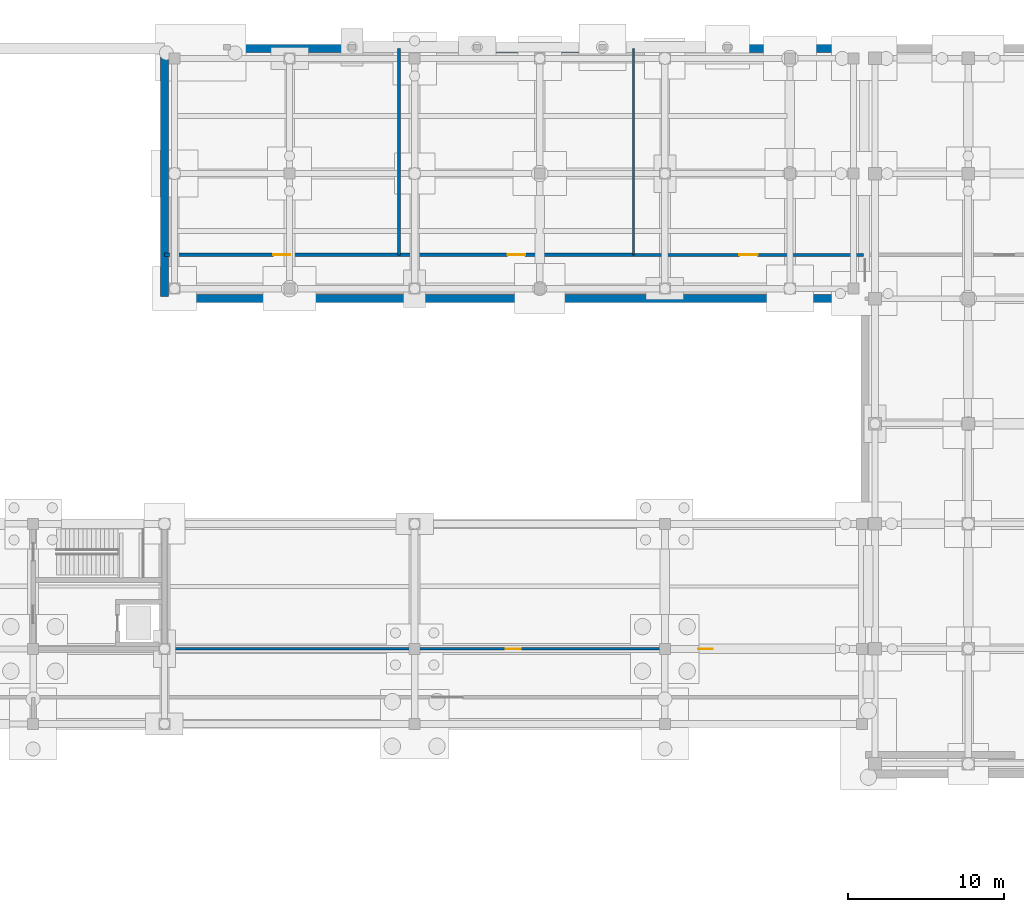
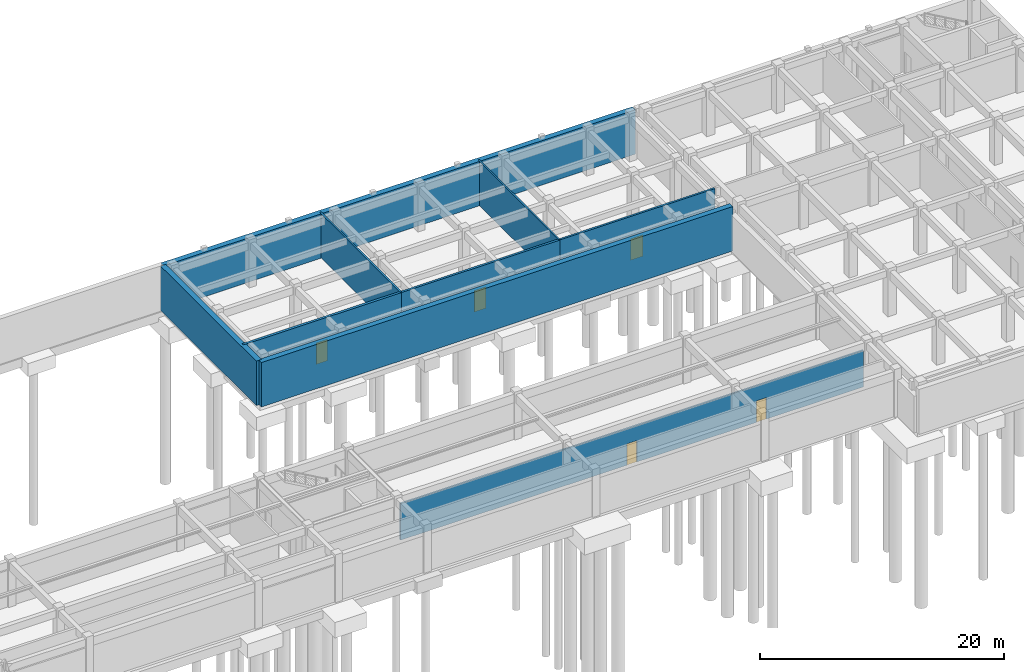
# One storey, part 25 of 35: 9 walls, 5 doors, 5 openings.
"""IFC4 building model written with IfcOpenShell, lengths in metres."""

from ifc_helpers import new_model, si_unit, direction, frame, frame_2d, origin, place, context, subcontext, project, spatial, rectangle, extrude, material, layer, layer_set, type_object, element, fill, save


model = new_model("IFC4")

# Units and contexts
model_context = context("Model", 3, precision=1e-05, world=origin(), true_north=direction((0.0, 1.0)))
body_context = subcontext(model_context, "Body", "Model", "MODEL_VIEW")
ifc_project = project(units=[si_unit("LENGTHUNIT", "METRE"), si_unit("AREAUNIT", "SQUARE_METRE"), si_unit("VOLUMEUNIT", "CUBIC_METRE"), si_unit("PLANEANGLEUNIT", "RADIAN"), si_unit("MASSUNIT", "GRAM", prefix="KILO")], contexts=[model_context])

# Site, building, storey
site_placement = place(None, origin())
site = spatial("IfcSite", under=ifc_project, at=site_placement, CompositionType="ELEMENT")
building_placement = place(site_placement, origin())
building = spatial("IfcBuilding", under=site, at=building_placement, Name="Cinchona Park Media Centre", CompositionType="ELEMENT")
storey_placement = place(building_placement, frame((0.0, 0.0, -4.800048828125)))
storey = spatial("IfcBuildingStorey", under=building, at=storey_placement, Name="B1", CompositionType="ELEMENT", Elevation=-4.800048828125)

# Wall, opening, door
ifc_material_1 = material(Name="Acoustic Double-Stud Gypsum Partition", Category="gypsum")
ifc_layer_1 = layer(ifc_material_1, 0.2099609375)
ifc_layer_set_1 = layer_set([ifc_layer_1], Name="Acoustic Double-Stud Gypsum Partition")
wall_type_1 = type_object("IfcWallType", Name="WALL-W-AC210", PredefinedType="PARTITIONING", material=ifc_layer_set_1)
wall_1_placement = place(storey_placement, frame((109.800048828125, 104.800048828125, 0.0), z_axis=(0.0, 0.0, 1.0), x_axis=(1.0, 0.0, 0.0)))
wall_1 = element("IfcWall", 1, at=wall_1_placement, inside=storey, type_object=wall_type_1, Name="Interior Wall W-AC210 B1", PredefinedType="PARTITIONING", context=body_context, shape_type="SweptSolid", body=[
    extrude(rectangle(XDim=15.0, YDim=0.2099609375, at=frame_2d((7.5, 0.0))), origin(), (0.0, 0.0, 1.0), 4.449951171875),
])
opening_1_placement = place(wall_1_placement, frame((6.93994140625, 0.0, 0.0)))
opening_1 = element("IfcOpeningElement", 2, at=opening_1_placement, cuts=wall_1, Name="Opening D172", PredefinedType="OPENING", context=body_context, shape_type="SweptSolid", body=[
    extrude(rectangle(XDim=1.1201171875, YDim=2.14990234375, at=frame_2d((0.56005859375, 1.074951171875))), frame((0.0, 0.114990234375, 0.0), z_axis=(0.0, -1.0, 0.0), x_axis=(1.0, 0.0, 0.0)), (0.0, 0.0, 1.0), 0.22998046875),
])
ifc_material_2 = material(Name="Fire-Rated Acoustic Timber-Steel Door", Category="steel")
door_type_1 = type_object("IfcDoorType", Name="DOOR-DT08", OperationType="NOTDEFINED", PredefinedType="DOOR", material=ifc_material_2)
door_1_placement = place(opening_1_placement, origin())
door_1 = element("IfcDoor", 3, at=door_1_placement, inside=storey, type_object=door_type_1, Name="Interior Door D172", OperationType="SINGLE_SWING_RIGHT", OverallHeight=2.14990234375, OverallWidth=1.1201171875, PredefinedType="DOOR", context=body_context, shape_type="SweptSolid", body=[
    extrude(rectangle(XDim=1.1201171875, YDim=2.14990234375, at=frame_2d((0.56005859375, 1.074951171875))), frame((0.0, 0.02490234375, 0.0), z_axis=(0.0, -1.0, 0.0), x_axis=(1.0, 0.0, 0.0)), (0.0, 0.0, 1.0), 0.050048828125),
])
fill(opening_1, door_1)

ifc_material_3 = material(Name="Acoustic Double-Stud Gypsum Partition", Category="gypsum")
ifc_layer_2 = layer(ifc_material_3, 0.239990234375)
ifc_layer_set_2 = layer_set([ifc_layer_2], Name="Acoustic Double-Stud Gypsum Partition")
wall_type_2 = type_object("IfcWallType", Name="WALL-W-AC240", PredefinedType="PARTITIONING", material=ifc_layer_set_2)
wall_2_placement = place(storey_placement, frame((94.800048828125, 104.800048828125, 0.0), z_axis=(0.0, 0.0, 1.0), x_axis=(1.0, 0.0, 0.0)))
wall_2 = element("IfcWall", 4, at=wall_2_placement, inside=storey, type_object=wall_type_2, Name="Interior Wall W-AC240 B1", PredefinedType="PARTITIONING", context=body_context, shape_type="SweptSolid", body=[
    extrude(rectangle(XDim=15.0, YDim=0.239990234375, at=frame_2d((7.5, 0.0))), origin(), (0.0, 0.0, 1.0), 4.449951171875),
])
opening_2_placement = place(wall_2_placement, frame((6.9599609375, 0.0, 0.0)))
opening_2 = element("IfcOpeningElement", 5, at=opening_2_placement, cuts=wall_2, Name="Opening D171", PredefinedType="OPENING", context=body_context, shape_type="SweptSolid", body=[
    extrude(rectangle(XDim=1.080078125, YDim=2.14990234375, at=frame_2d((0.5400390625, 1.074951171875))), frame((0.0, 0.1298828125, 0.0), z_axis=(0.0, -1.0, 0.0), x_axis=(1.0, 0.0, 0.0)), (0.0, 0.0, 1.0), 0.260009765625),
])
ifc_material_4 = material(Name="Fire-Rated Acoustic Timber-Steel Door", Category="steel")
door_type_2 = type_object("IfcDoorType", Name="DOOR-DT07", OperationType="NOTDEFINED", PredefinedType="DOOR", material=ifc_material_4)
door_2_placement = place(opening_2_placement, origin())
door_2 = element("IfcDoor", 6, at=door_2_placement, inside=storey, type_object=door_type_2, Name="Interior Door D171", OperationType="SINGLE_SWING_LEFT", OverallHeight=2.14990234375, OverallWidth=1.080078125, PredefinedType="DOOR", context=body_context, shape_type="SweptSolid", body=[
    extrude(rectangle(XDim=1.080078125, YDim=2.14990234375, at=frame_2d((0.5400390625, 1.074951171875))), frame((0.0, 0.02490234375, 0.0), z_axis=(0.0, -1.0, 0.0), x_axis=(1.0, 0.0, 0.0)), (0.0, 0.0, 1.0), 0.050048828125),
])
fill(opening_2, door_2)

# Wall, openings, doors
ifc_material_5 = material(Name="Fire-Rated Gypsum Stud Partition", Category="gypsum")
ifc_layer_3 = layer(ifc_material_5, 0.14990234375)
ifc_layer_set_3 = layer_set([ifc_layer_3], Name="Fire-Rated Gypsum Stud Partition")
wall_type_3 = type_object("IfcWallType", Name="WALL-W-PT150", PredefinedType="PARTITIONING", material=ifc_layer_set_3)
wall_3_placement = place(storey_placement, frame((95.152099609375, 79.60009765625, 0.0), z_axis=(0.0, 0.0, 1.0), x_axis=(1.0, 0.0, 0.0)))
wall_3 = element("IfcWall", 7, at=wall_3_placement, inside=storey, type_object=wall_type_3, Name="Interior Wall W-PT150 B1", PredefinedType="PARTITIONING", context=body_context, shape_type="SweptSolid", body=[
    extrude(rectangle(XDim=43.89599609375, YDim=0.14990234375, at=frame_2d((21.947998046875, 0.0))), origin(), (0.0, 0.0, 1.0), 3.670166015625),
])
opening_3_placement = place(wall_3_placement, frame((21.47802734375, 0.0, 0.0)))
opening_3 = element("IfcOpeningElement", 8, at=opening_3_placement, cuts=wall_3, Name="Opening D163", PredefinedType="OPENING", context=body_context, shape_type="SweptSolid", body=[
    extrude(rectangle(XDim=0.93994140625, YDim=2.14990234375, at=frame_2d((0.469970703125, 1.074951171875))), frame((0.0, 0.0849609375, 0.0), z_axis=(0.0, -1.0, 0.0), x_axis=(1.0, 0.0, 0.0)), (0.0, 0.0, 1.0), 0.169921875),
])
opening_4_placement = place(wall_3_placement, frame((33.76904296875, 0.0, 0.0)))
opening_4 = element("IfcOpeningElement", 9, at=opening_4_placement, cuts=wall_3, Name="Opening D164", PredefinedType="OPENING", context=body_context, shape_type="SweptSolid", body=[
    extrude(rectangle(XDim=0.93994140625, YDim=2.14990234375, at=frame_2d((0.469970703125, 1.074951171875))), frame((0.0, 0.0849609375, 0.0), z_axis=(0.0, -1.0, 0.0), x_axis=(1.0, 0.0, 0.0)), (0.0, 0.0, 1.0), 0.169921875),
])
ifc_material_6 = material(Name="Fire-Rated Acoustic Timber-Steel Door", Category="steel")
door_type_3 = type_object("IfcDoorType", Name="DOOR-DT24", OperationType="NOTDEFINED", PredefinedType="DOOR", material=ifc_material_6)
door_3_placement = place(opening_3_placement, origin())
door_3 = element("IfcDoor", 10, at=door_3_placement, inside=storey, type_object=door_type_3, Name="Interior Door D163", OperationType="SINGLE_SWING_LEFT", OverallHeight=2.14990234375, OverallWidth=0.93994140625, PredefinedType="DOOR", context=body_context, shape_type="SweptSolid", body=[
    extrude(rectangle(XDim=0.93994140625, YDim=2.14990234375, at=frame_2d((0.469970703125, 1.074951171875))), frame((0.0, 0.02490234375, 0.0), z_axis=(0.0, -1.0, 0.0), x_axis=(1.0, 0.0, 0.0)), (0.0, 0.0, 1.0), 0.050048828125),
])
fill(opening_3, door_3)
door_4_placement = place(opening_4_placement, origin())
door_4 = element("IfcDoor", 11, at=door_4_placement, inside=storey, type_object=door_type_3, Name="Interior Door D164", OperationType="SINGLE_SWING_RIGHT", OverallHeight=2.14990234375, OverallWidth=0.93994140625, PredefinedType="DOOR", context=body_context, shape_type="SweptSolid", body=[
    extrude(rectangle(XDim=0.93994140625, YDim=2.14990234375, at=frame_2d((0.469970703125, 1.074951171875))), frame((0.0, 0.02490234375, 0.0), z_axis=(0.0, -1.0, 0.0), x_axis=(1.0, 0.0, 0.0)), (0.0, 0.0, 1.0), 0.050048828125),
])
fill(opening_4, door_4)

# Walls
wall_4_placement = place(storey_placement, frame((124.800048828125, 118.0, 0.0), z_axis=(0.0, 0.0, 1.0), x_axis=(0.0, -1.0, 0.0)))
element("IfcWall", 12, at=wall_4_placement, inside=storey, type_object=wall_type_3, Name="Interior Wall W-PT150 B1", PredefinedType="PARTITIONING", context=body_context, shape_type="SweptSolid", body=[
    extrude(rectangle(XDim=13.199951171875, YDim=0.14990234375, at=frame_2d((6.60009765625, 0.0))), origin(), (0.0, 0.0, 1.0), 4.449951171875),
])
ifc_material_7 = material(Name="Fire-Rated Gypsum Stud Partition", Category="gypsum")
ifc_layer_4 = layer(ifc_material_7, 0.1650390625)
ifc_layer_set_4 = layer_set([ifc_layer_4], Name="Fire-Rated Gypsum Stud Partition")
wall_type_4 = type_object("IfcWallType", Name="WALL-W-PT165", PredefinedType="PARTITIONING", material=ifc_layer_set_4)
wall_5_placement = place(storey_placement, frame((109.800048828125, 118.0, 0.0), z_axis=(0.0, 0.0, 1.0), x_axis=(0.0, -1.0, 0.0)))
element("IfcWall", 13, at=wall_5_placement, inside=storey, type_object=wall_type_4, Name="Interior Wall W-PT165 B1", PredefinedType="PARTITIONING", context=body_context, shape_type="SweptSolid", body=[
    extrude(rectangle(XDim=13.199951171875, YDim=0.1650390625, at=frame_2d((6.60009765625, 0.0))), origin(), (0.0, 0.0, 1.0), 4.449951171875),
])

# Wall, opening, door
ifc_material_8 = material(Name="Fire-Rated Gypsum Stud Partition", Category="gypsum")
ifc_layer_5 = layer(ifc_material_8, 0.18994140625)
ifc_layer_set_5 = layer_set([ifc_layer_5], Name="Fire-Rated Gypsum Stud Partition")
wall_type_5 = type_object("IfcWallType", Name="WALL-W-PT190", PredefinedType="PARTITIONING", material=ifc_layer_set_5)
wall_6_placement = place(storey_placement, frame((124.800048828125, 104.800048828125, 0.0), z_axis=(0.0, 0.0, 1.0), x_axis=(1.0, 0.0, 0.0)))
wall_6 = element("IfcWall", 14, at=wall_6_placement, inside=storey, type_object=wall_type_5, Name="Interior Wall W-PT190 B1", PredefinedType="PARTITIONING", context=body_context, shape_type="SweptSolid", body=[
    extrude(rectangle(XDim=14.699951171875, YDim=0.18994140625, at=frame_2d((7.35009765625, 0.0))), origin(), (0.0, 0.0, 1.0), 4.449951171875),
])
opening_5_placement = place(wall_6_placement, frame((6.760009765625, 0.0, 0.0)))
opening_5 = element("IfcOpeningElement", 15, at=opening_5_placement, cuts=wall_6, Name="Opening D173", PredefinedType="OPENING", context=body_context, shape_type="SweptSolid", body=[
    extrude(rectangle(XDim=1.179931640625, YDim=2.14990234375, at=frame_2d((0.58984375, 1.074951171875))), frame((0.0, 0.10498046875, 0.0), z_axis=(0.0, -1.0, 0.0), x_axis=(1.0, 0.0, 0.0)), (0.0, 0.0, 1.0), 0.2099609375),
])
ifc_material_9 = material(Name="Fire-Rated Acoustic Timber-Steel Door", Category="steel")
door_type_4 = type_object("IfcDoorType", Name="DOOR-DT09", OperationType="NOTDEFINED", PredefinedType="DOOR", material=ifc_material_9)
door_5_placement = place(opening_5_placement, origin())
door_5 = element("IfcDoor", 16, at=door_5_placement, inside=storey, type_object=door_type_4, Name="Interior Door D173", OperationType="SINGLE_SWING_LEFT", OverallHeight=2.14990234375, OverallWidth=1.179931640625, PredefinedType="DOOR", context=body_context, shape_type="SweptSolid", body=[
    extrude(rectangle(XDim=1.179931640625, YDim=2.14990234375, at=frame_2d((0.58984375, 1.074951171875))), frame((0.0, 0.02490234375, 0.0), z_axis=(0.0, -1.0, 0.0), x_axis=(1.0, 0.0, 0.0)), (0.0, 0.0, 1.0), 0.050048828125),
])
fill(opening_5, door_5)

# Walls
ifc_material_10 = material(Name="Concrete C40/50", Category="concrete")
ifc_layer_6 = layer(ifc_material_10, 0.5)
ifc_layer_set_6 = layer_set([ifc_layer_6], Name="Concrete C40/50")
wall_type_6 = type_object("IfcWallType", Name="WALL-W-RT01", PredefinedType="USERDEFINED", material=ifc_layer_set_6)
for number, where, z_axis, x_axis, name in (
    (17, (94.800048828125, 118.0, 0.0), (0.0, 0.0, 1.0), (1.0, 0.0, 0.0), "Basement Retaining Wall W-RT01"),
    (18, (139.5, 102.0, 0.0), (0.0, 0.0, 1.0), (-1.0, 0.0, 0.0), "Basement Retaining Wall W-RT01"),
):
    element("IfcWall", number, at=place(storey_placement, frame(where, z_axis=z_axis, x_axis=x_axis)), inside=storey, type_object=wall_type_6, Name=name, ObjectType="RETAININGWALL", PredefinedType="USERDEFINED", context=body_context, shape_type="SweptSolid", body=[
        extrude(rectangle(XDim=44.699951171875, YDim=0.5, at=frame_2d((22.35009765625, 0.0))), origin(), (0.0, 0.0, 1.0), 4.449951171875),
    ])
wall_7_placement = place(storey_placement, frame((94.800048828125, 102.139892578125, 0.0), z_axis=(0.0, 0.0, 1.0), x_axis=(0.0, 1.0, 0.0)))
element("IfcWall", 19, at=wall_7_placement, inside=storey, type_object=wall_type_6, Name="Basement Retaining Wall W-RT01", ObjectType="RETAININGWALL", PredefinedType="USERDEFINED", context=body_context, shape_type="SweptSolid", body=[
    extrude(rectangle(XDim=15.72021484375, YDim=0.5, at=frame_2d((7.860107421875, 0.0))), origin(), (0.0, 0.0, 1.0), 4.449951171875),
])

save(model, "model.ifc")
